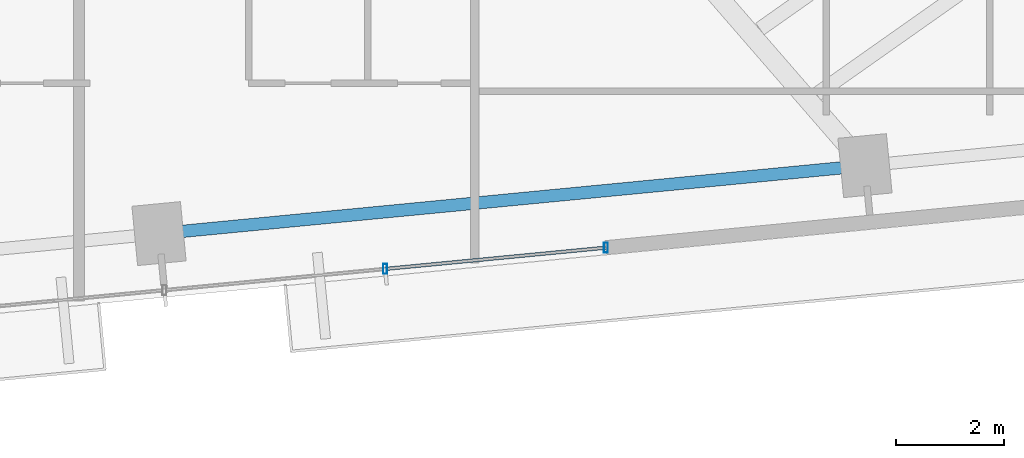
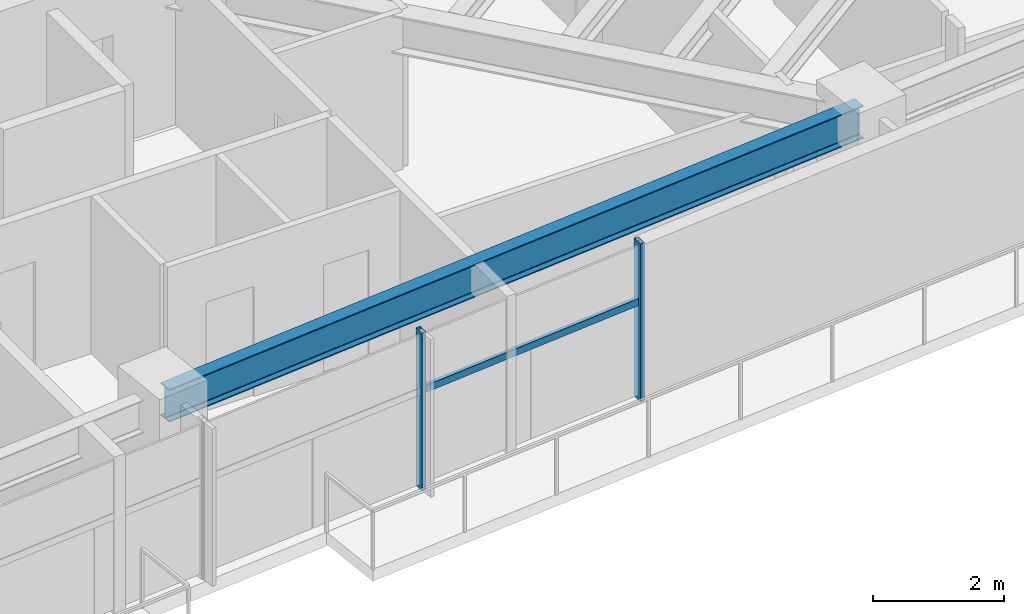
# One storey, part 12 of 25: 3 members, 1 beam, 1 element without a shape of its own.
"""IFC4 building model written with IfcOpenShell, lengths in metres."""

from ifc_helpers import new_model, si_unit, direction, frame, origin, origin_2d, place, context, subcontext, project, spatial, hollow_rectangle, i_section, extrude, source, transform, mapped, material, material_profile, profile_set, type_object, type_shapes, element, aggregate, save


model = new_model("IFC4")

# Units and contexts
model_context = context("Model", 3, precision=1e-05, world=origin(), true_north=direction((0.0, 1.0)))
body_context = subcontext(model_context, "Body", "Model", "MODEL_VIEW")
ifc_project = project(units=[si_unit("LENGTHUNIT", "METRE"), si_unit("AREAUNIT", "SQUARE_METRE"), si_unit("VOLUMEUNIT", "CUBIC_METRE"), si_unit("PLANEANGLEUNIT", "RADIAN"), si_unit("MASSUNIT", "GRAM", prefix="KILO")], contexts=[model_context])

# Site, building, storey
site_placement = place(None, origin())
site = spatial("IfcSite", under=ifc_project, at=site_placement, CompositionType="ELEMENT")
building_placement = place(site_placement, origin())
building = spatial("IfcBuilding", under=site, at=building_placement, Name="Astriad Promenade Condominiums", CompositionType="ELEMENT")
storey_placement = place(building_placement, frame((0.0, 0.0, 100.199951171875)))
storey = spatial("IfcBuildingStorey", under=building, at=storey_placement, Name="L28", CompositionType="ELEMENT", Elevation=100.199951171875)

# Beam
ifc_material_1 = material(Name="Steel ASTM A992 Grade 50", Category="steel")
ifc_material_profile_1 = material_profile(ifc_material_1, i_section(OverallWidth=0.22900390625, OverallDepth=0.612060546875, WebThickness=0.011962890625, FlangeThickness=0.01953125, FilletRadius=0.017822265625, at=origin_2d()), Name="W24X84")
ifc_profile_set_1 = profile_set([ifc_material_profile_1], Name="Steel ASTM A992 Grade 50")
beam_type = type_object("IfcBeamType", Name="STEEL SPANDREL BEAM W24X84", PredefinedType="SPANDREL", material=ifc_profile_set_1)
shared_shape_1 = source(origin(), body_context, "Body", "SweptSolid", [
    extrude(i_section(OverallWidth=0.22900390625, OverallDepth=0.612060546875, WebThickness=0.011962890625, FlangeThickness=0.01953125, FilletRadius=0.017822265625, at=origin_2d()), origin(), (0.0, 0.0, 1.0), 13.02001953125),
])
type_shapes(beam_type, [shared_shape_1])
beam_placement = place(storey_placement, frame((40.085205078125, 7.5244140625, 2.634033203125), z_axis=(0.995395138946, 0.095856754395, 0.0), x_axis=(-0.095856754395, 0.995395138946, 0.0)))
element("IfcBeam", 1, at=beam_placement, inside=storey, type_object=beam_type, Name="Perimeter Spandrel Beam SP-S3-L28", PredefinedType="SPANDREL", context=body_context, shape_type="MappedRepresentation", body=[
    mapped(shared_shape_1, transform((0.0, 0.0, 0.0), scale=1.0)),
])

# Curtain wall, members
ifc_material_2 = material(Name="Anodised aluminium Black Dark Glass Unitised", Category="aluminium")
curtain_wall_type = type_object("IfcCurtainWallType", Name="CW-B2-DARK", PredefinedType="USERDEFINED", material=ifc_material_2)
curtain_wall_placement = place(storey_placement, origin())
curtain_wall = element("IfcCurtainWall", 2, at=curtain_wall_placement, inside=storey, type_object=curtain_wall_type, Name="CW-L28-S", ObjectType="UNITISED_CURTAIN_WALL", PredefinedType="USERDEFINED")
ifc_material_3 = material(Name="Anodised aluminium 6063-T6 Black", Category="aluminium")
ifc_material_profile_2 = material_profile(ifc_material_3, hollow_rectangle(XDim=0.074951171875, YDim=0.18505859375, WallThickness=0.00439453125, at=origin_2d()), Name="ALU-MUL-75X185")
ifc_profile_set_2 = profile_set([ifc_material_profile_2], Name="Anodised aluminium 6063-T6 Black")
member_type_1 = type_object("IfcMemberType", Name="MUL-ALU-MUL-75X185", PredefinedType="MULLION", material=ifc_profile_set_2)
shared_shape_2 = source(origin(), body_context, "Body", "SweptSolid", [
    extrude(hollow_rectangle(XDim=0.074951171875, YDim=0.18505859375, WallThickness=0.00439453125, at=origin_2d()), origin(), (0.0, 0.0, 1.0), 2.93994140625),
])
type_shapes(member_type_1, [shared_shape_2])
member_1_placement = place(storey_placement, frame((48.29833984375, 7.260498046875, 0.0), z_axis=(0.0, 0.0, 1.0), x_axis=(1.0, 0.0, 0.0)))
member_1 = element("IfcMember", 3, at=member_1_placement, type_object=member_type_1, Name="CW-L28-S-MUL-00", PredefinedType="MULLION", context=body_context, shape_type="MappedRepresentation", body=[
    mapped(shared_shape_2, transform((0.0, 0.0, 0.0), scale=1.0)),
])
member_2_placement = place(storey_placement, frame((44.22216796875, 6.867919921875, 0.0), z_axis=(0.0, 0.0, 1.0), x_axis=(1.0, 0.0, 0.0)))
member_2 = element("IfcMember", 4, at=member_2_placement, type_object=member_type_1, Name="CW-L28-S-MUL-01", PredefinedType="MULLION", context=body_context, shape_type="MappedRepresentation", body=[
    mapped(shared_shape_2, transform((0.0, 0.0, 0.0), scale=1.0)),
])
ifc_material_profile_3 = material_profile(ifc_material_3, hollow_rectangle(XDim=0.06494140625, YDim=0.1298828125, WallThickness=0.00390625, at=origin_2d()), Name="ALU-TRN-65X130")
ifc_profile_set_3 = profile_set([ifc_material_profile_3], Name="Anodised aluminium 6063-T6 Black")
member_type_2 = type_object("IfcMemberType", Name="TRN-ALU-TRN-65X130", PredefinedType="USERDEFINED", material=ifc_profile_set_3)
shared_shape_3 = source(origin(), body_context, "Body", "SweptSolid", [
    extrude(hollow_rectangle(XDim=0.06494140625, YDim=0.1298828125, WallThickness=0.00390625, at=origin_2d()), origin(), (0.0, 0.0, 1.0), 4.094970703125),
])
type_shapes(member_type_2, [shared_shape_3])
member_3_placement = place(storey_placement, frame((48.29833984375, 7.260498046875, 1.82275390625), z_axis=(-0.995394161585, -0.09586690296, 0.0), x_axis=(0.09586690296, -0.995394161585, 0.0)))
member_3 = element("IfcMember", 5, at=member_3_placement, type_object=member_type_2, Name="CW-L28-S-TRN-00-0", ObjectType="TRANSOM", PredefinedType="USERDEFINED", context=body_context, shape_type="MappedRepresentation", body=[
    mapped(shared_shape_3, transform((0.0, 0.0, 0.0), scale=1.0)),
])
aggregate(curtain_wall, [member_1, member_2, member_3])

save(model, "model.ifc")
